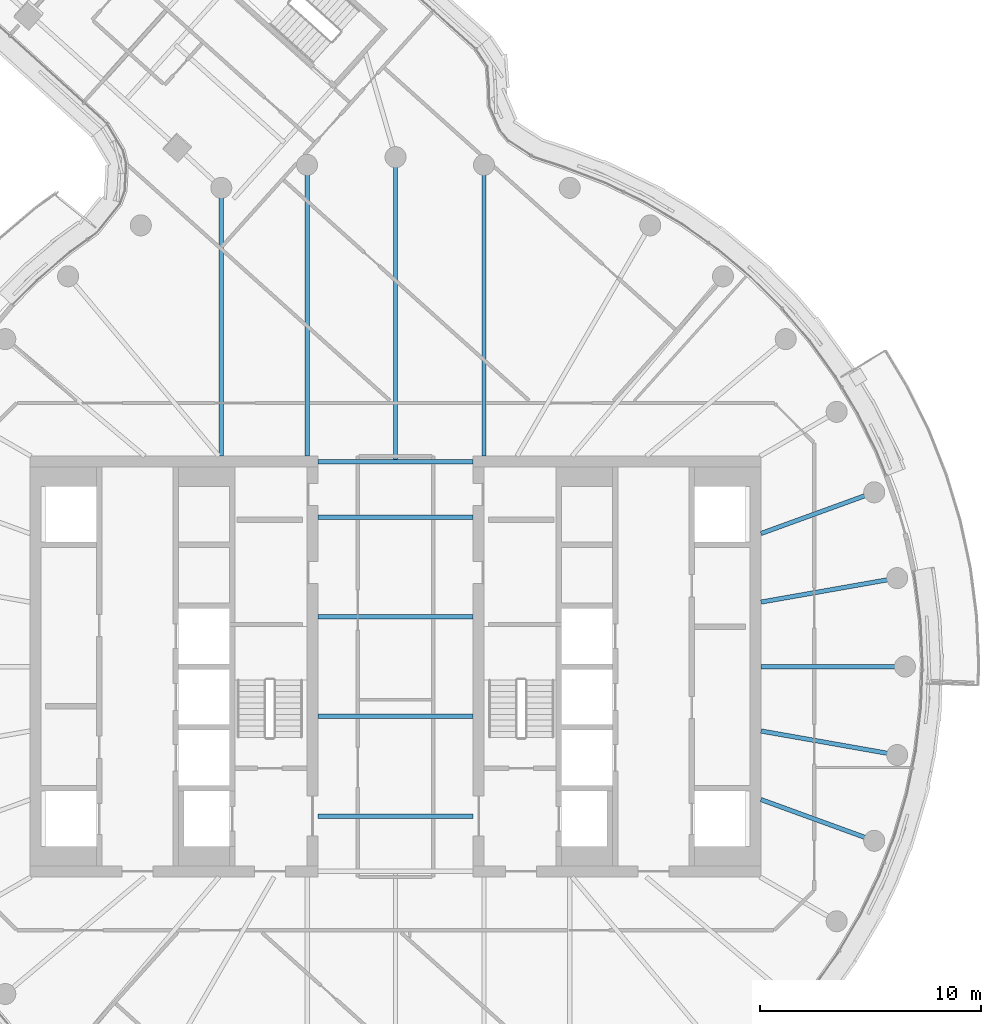
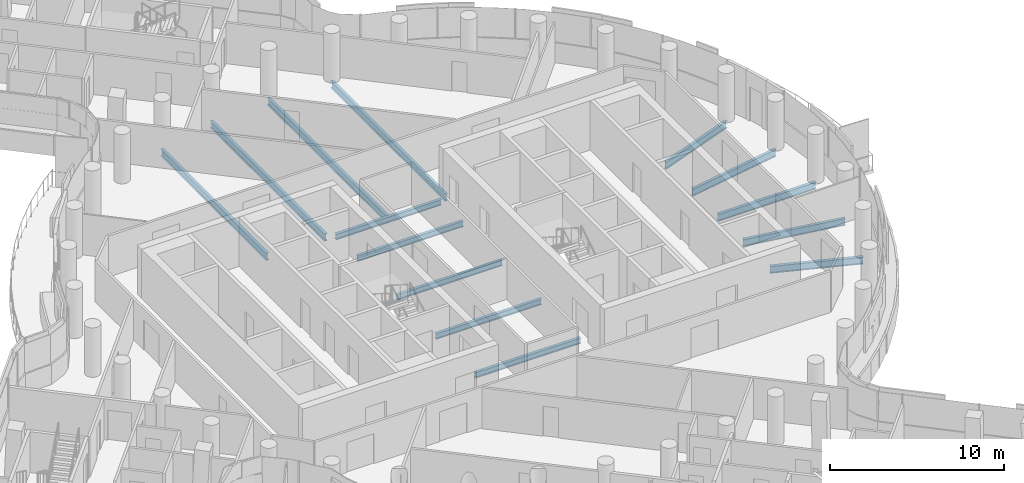
# One storey, part 11 of 31: 14 beams.
"""IFC4 building model written with IfcOpenShell, lengths in metres."""

from ifc_helpers import new_model, si_unit, direction, frame, origin, origin_2d, place, context, subcontext, project, spatial, i_section, extrude, material, material_profile, profile_set, type_object, element, save


model = new_model("IFC4")

# Units and contexts
model_context = context("Model", 3, precision=1e-05, world=origin(), true_north=direction((0.0, 1.0)))
body_context = subcontext(model_context, "Body", "Model", "MODEL_VIEW")
ifc_project = project(units=[si_unit("LENGTHUNIT", "METRE"), si_unit("AREAUNIT", "SQUARE_METRE"), si_unit("VOLUMEUNIT", "CUBIC_METRE"), si_unit("PLANEANGLEUNIT", "RADIAN"), si_unit("MASSUNIT", "GRAM", prefix="KILO")], contexts=[model_context])

# Site, building, storey
site_placement = place(None, origin())
site = spatial("IfcSite", under=ifc_project, at=site_placement, CompositionType="ELEMENT")
building_placement = place(site_placement, origin())
building = spatial("IfcBuilding", under=site, at=building_placement, Name="Tamarind Cross Interchange Tower", CompositionType="ELEMENT")
storey_placement = place(building_placement, frame((0.0, 0.0, 207.699951171875)))
storey = spatial("IfcBuildingStorey", under=building, at=storey_placement, Name="L52", CompositionType="ELEMENT", Elevation=207.699951171875)

# Beams
ifc_material = material(Name="Steel Q355B", Category="steel")
ifc_material_profile_1 = material_profile(ifc_material, i_section(OverallWidth=0.199951171875, OverallDepth=0.39990234375, WebThickness=0.008056640625, FlangeThickness=0.012939453125, FilletRadius=0.01611328125, at=origin_2d()), Name="HN 400x200x8x13")
ifc_profile_set_1 = profile_set([ifc_material_profile_1], Name="Steel Q355B")
beam_type_1 = type_object("IfcBeamType", Name="Composite beam HN 400x200x8x13 Q355B", PredefinedType="BEAM", material=ifc_profile_set_1)
for number, where, z_axis, x_axis, name in (
    (1, (-3.5, -2.25, -0.33984375), (1.0, 0.0, 0.0), (0.0, 1.0, 0.0), "Beam G-2.25"),
    (2, (-3.5, -6.75, -0.33984375), (1.0, 0.0, 0.0), (0.0, 1.0, 0.0), "Beam G-6.75"),
    (3, (-3.5, 2.25, -0.33984375), (1.0, 0.0, 0.0), (0.0, 1.0, 0.0), "Beam G2.25"),
    (4, (-3.5, 6.75, -0.33984375), (1.0, 0.0, 0.0), (0.0, 1.0, 0.0), "Beam G6.75"),
    (5, (-3.5, 9.25, -0.33984375), (1.0, 0.0, 0.0), (0.0, 1.0, 0.0), "Beam G9.25"),
):
    element("IfcBeam", number, at=place(storey_placement, frame(where, z_axis=z_axis, x_axis=x_axis)), inside=storey, type_object=beam_type_1, Name=name, PredefinedType="BEAM", context=body_context, shape_type="SweptSolid", body=[
        extrude(i_section(OverallWidth=0.199951171875, OverallDepth=0.39990234375, WebThickness=0.008056640625, FlangeThickness=0.012939453125, FilletRadius=0.01611328125, at=origin_2d()), origin(), (0.0, 0.0, 1.0), 7.0),
    ])
ifc_material_profile_2 = material_profile(ifc_material, i_section(OverallWidth=0.198974609375, OverallDepth=0.49609375, WebThickness=0.009033203125, FlangeThickness=0.013916015625, FilletRadius=0.012939453125, at=origin_2d()), Name="HN 496x199x9x14")
ifc_profile_set_2 = profile_set([ifc_material_profile_2], Name="Steel Q355B")
beam_type_2 = type_object("IfcBeamType", Name="Composite beam HN 496x199x9x14 Q355B", PredefinedType="BEAM", material=ifc_profile_set_2)
beam_1_placement = place(storey_placement, frame((23.0, 0.0, -0.387939453125), z_axis=(-1.0, 0.0, 0.0), x_axis=(0.0, -1.0, 0.0)))
element("IfcBeam", 6, at=beam_1_placement, inside=storey, type_object=beam_type_2, Name="Beam HH00", PredefinedType="BEAM", context=body_context, shape_type="SweptSolid", body=[
    extrude(i_section(OverallWidth=0.198974609375, OverallDepth=0.49609375, WebThickness=0.009033203125, FlangeThickness=0.013916015625, FilletRadius=0.012939453125, at=origin_2d()), origin(), (0.0, 0.0, 1.0), 6.5),
])
beam_2_placement = place(storey_placement, frame((22.650634765625, 3.993896484375, -0.387939453125), z_axis=(-0.984809127561, -0.173640382036, 0.0), x_axis=(0.173640382036, -0.984809127561, 0.0)))
element("IfcBeam", 7, at=beam_2_placement, inside=storey, type_object=beam_type_2, Name="Beam HH01", PredefinedType="BEAM", context=body_context, shape_type="SweptSolid", body=[
    extrude(i_section(OverallWidth=0.198974609375, OverallDepth=0.49609375, WebThickness=0.009033203125, FlangeThickness=0.013916015625, FilletRadius=0.012939453125, at=origin_2d()), origin(), (0.0, 0.0, 1.0), 6.24560546875),
])
beam_3_placement = place(storey_placement, frame((21.613037109375, 7.866455078125, -0.387939453125), z_axis=(-0.939701685589, -0.341995236956, 0.0), x_axis=(0.341995236956, -0.939701685589, 0.0)))
element("IfcBeam", 8, at=beam_3_placement, inside=storey, type_object=beam_type_2, Name="Beam HH02", PredefinedType="BEAM", context=body_context, shape_type="SweptSolid", body=[
    extrude(i_section(OverallWidth=0.198974609375, OverallDepth=0.49609375, WebThickness=0.009033203125, FlangeThickness=0.013916015625, FilletRadius=0.012939453125, at=origin_2d()), origin(), (0.0, 0.0, 1.0), 5.441162109375),
])
beam_4_placement = place(storey_placement, frame((3.993896484375, 22.650634765625, -0.387939453125), z_axis=(0.0, -1.0, 0.0), x_axis=(1.0, 0.0, 0.0)))
element("IfcBeam", 9, at=beam_4_placement, inside=storey, type_object=beam_type_2, Name="Beam HH08", PredefinedType="BEAM", context=body_context, shape_type="SweptSolid", body=[
    extrude(i_section(OverallWidth=0.198974609375, OverallDepth=0.49609375, WebThickness=0.009033203125, FlangeThickness=0.013916015625, FilletRadius=0.012939453125, at=origin_2d()), origin(), (0.0, 0.0, 1.0), 13.150634765625),
])
beam_5_placement = place(storey_placement, frame((0.0, 23.0, -0.387939453125), z_axis=(0.0, -1.0, 0.0), x_axis=(1.0, 0.0, 0.0)))
element("IfcBeam", 10, at=beam_5_placement, inside=storey, type_object=beam_type_2, Name="Beam HH09", PredefinedType="BEAM", context=body_context, shape_type="SweptSolid", body=[
    extrude(i_section(OverallWidth=0.198974609375, OverallDepth=0.49609375, WebThickness=0.009033203125, FlangeThickness=0.013916015625, FilletRadius=0.012939453125, at=origin_2d()), origin(), (0.0, 0.0, 1.0), 13.75),
])
beam_6_placement = place(storey_placement, frame((-3.993896484375, 22.650634765625, -0.387939453125), z_axis=(0.0, -1.0, 0.0), x_axis=(1.0, 0.0, 0.0)))
element("IfcBeam", 11, at=beam_6_placement, inside=storey, type_object=beam_type_2, Name="Beam HH10", PredefinedType="BEAM", context=body_context, shape_type="SweptSolid", body=[
    extrude(i_section(OverallWidth=0.198974609375, OverallDepth=0.49609375, WebThickness=0.009033203125, FlangeThickness=0.013916015625, FilletRadius=0.012939453125, at=origin_2d()), origin(), (0.0, 0.0, 1.0), 13.150634765625),
])
beam_7_placement = place(storey_placement, frame((-7.866455078125, 21.613037109375, -0.387939453125), z_axis=(0.0, -1.0, 0.0), x_axis=(1.0, 0.0, 0.0)))
element("IfcBeam", 12, at=beam_7_placement, inside=storey, type_object=beam_type_2, Name="Beam HH11", PredefinedType="BEAM", context=body_context, shape_type="SweptSolid", body=[
    extrude(i_section(OverallWidth=0.198974609375, OverallDepth=0.49609375, WebThickness=0.009033203125, FlangeThickness=0.013916015625, FilletRadius=0.012939453125, at=origin_2d()), origin(), (0.0, 0.0, 1.0), 12.113037109375),
])
beam_8_placement = place(storey_placement, frame((21.613037109375, -7.866455078125, -0.387939453125), z_axis=(-0.939701685589, 0.341995236956, 0.0), x_axis=(-0.341995236956, -0.939701685589, 0.0)))
element("IfcBeam", 13, at=beam_8_placement, inside=storey, type_object=beam_type_2, Name="Beam HH34", PredefinedType="BEAM", context=body_context, shape_type="SweptSolid", body=[
    extrude(i_section(OverallWidth=0.198974609375, OverallDepth=0.49609375, WebThickness=0.009033203125, FlangeThickness=0.013916015625, FilletRadius=0.012939453125, at=origin_2d()), origin(), (0.0, 0.0, 1.0), 5.441162109375),
])
beam_9_placement = place(storey_placement, frame((22.650634765625, -3.993896484375, -0.387939453125), z_axis=(-0.984809127561, 0.173640382036, 0.0), x_axis=(-0.173640382036, -0.984809127561, 0.0)))
element("IfcBeam", 14, at=beam_9_placement, inside=storey, type_object=beam_type_2, Name="Beam HH35", PredefinedType="BEAM", context=body_context, shape_type="SweptSolid", body=[
    extrude(i_section(OverallWidth=0.198974609375, OverallDepth=0.49609375, WebThickness=0.009033203125, FlangeThickness=0.013916015625, FilletRadius=0.012939453125, at=origin_2d()), origin(), (0.0, 0.0, 1.0), 6.24560546875),
])

save(model, "model.ifc")
